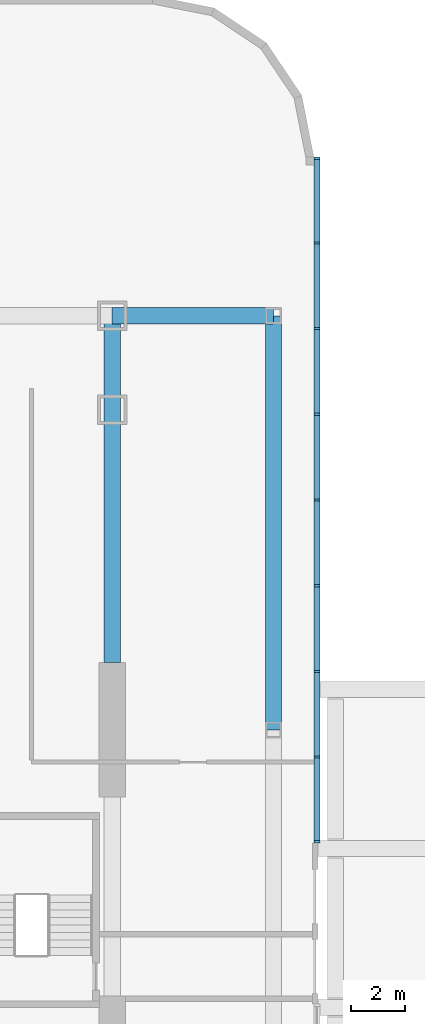
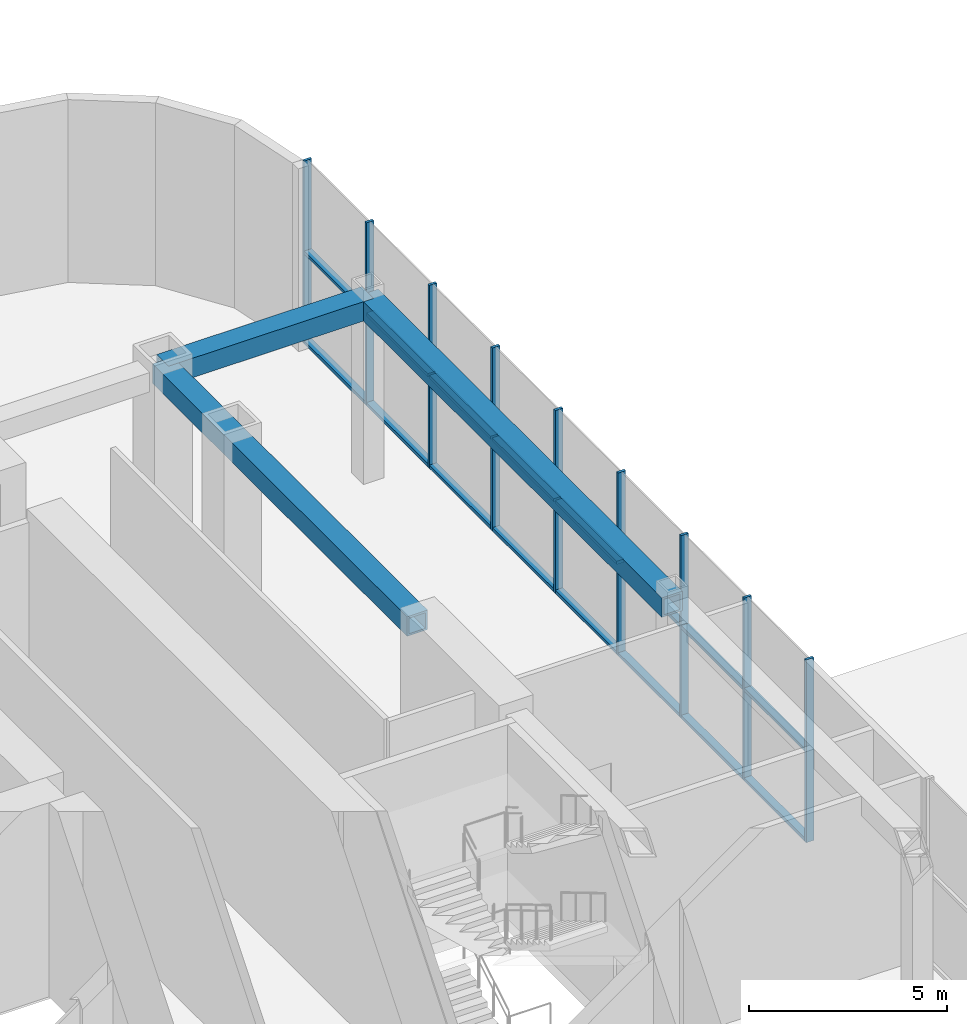
# One storey, part 13 of 57: 25 members, 3 beams, 1 element without a shape of its own.
"""IFC4 building model written with IfcOpenShell, lengths in metres."""

from ifc_helpers import new_model, si_unit, direction, frame, origin, origin_2d, place, context, subcontext, project, spatial, rectangle, hollow_rectangle, extrude, material, material_profile, profile_set, type_object, element, aggregate, save


model = new_model("IFC4")

# Units and contexts
model_context = context("Model", 3, precision=1e-05, world=origin(), true_north=direction((0.0, 1.0)))
body_context = subcontext(model_context, "Body", "Model", "MODEL_VIEW")
ifc_project = project(units=[si_unit("LENGTHUNIT", "METRE"), si_unit("AREAUNIT", "SQUARE_METRE"), si_unit("VOLUMEUNIT", "CUBIC_METRE"), si_unit("PLANEANGLEUNIT", "RADIAN"), si_unit("MASSUNIT", "GRAM", prefix="KILO")], contexts=[model_context])

# Site, building, storey
site_placement = place(None, origin())
site = spatial("IfcSite", under=ifc_project, at=site_placement, CompositionType="ELEMENT")
building_placement = place(site_placement, origin())
building = spatial("IfcBuilding", under=site, at=building_placement, Name="Orbita Commons", CompositionType="ELEMENT")
storey_placement = place(building_placement, origin())
storey = spatial("IfcBuildingStorey", under=building, at=storey_placement, Name="L00", CompositionType="ELEMENT", Elevation=0.0)

# Curtain wall, members
ifc_material_1 = material(Name="Anodised aluminium frame, pale silver", Category="aluminium")
curtain_wall_type = type_object("IfcCurtainWallType", Name="Lobby curtain wall CW-L", PredefinedType="NOTDEFINED", material=ifc_material_1)
curtain_wall_placement = place(storey_placement, origin())
curtain_wall = element("IfcCurtainWall", 1, at=curtain_wall_placement, inside=storey, type_object=curtain_wall_type, Name="Curtain wall E 2 L00", PredefinedType="NOTDEFINED")
ifc_material_2 = material(Name="Anodised aluminium, pale silver", Category="aluminium")
ifc_material_profile_1 = material_profile(ifc_material_2, rectangle(XDim=0.080078125, YDim=0.219970703125, at=origin_2d()), Name="AL 80x220")
ifc_profile_set_1 = profile_set([ifc_material_profile_1], Name="Anodised aluminium, pale silver")
member_type_1 = type_object("IfcMemberType", Name="Curtain wall mullion 80x220", PredefinedType="MULLION", material=ifc_profile_set_1)
member_1_placement = place(storey_placement, frame((85.610107421875, 34.0400390625, 0.0), z_axis=(0.0, 0.0, 1.0), x_axis=(0.0, 1.0, 0.0)))
member_1 = element("IfcMember", 2, at=member_1_placement, type_object=member_type_1, Name="Mullion 1 CW-L00-E1", PredefinedType="MULLION", context=body_context, shape_type="SweptSolid", body=[
    extrude(rectangle(XDim=0.080078125, YDim=0.219970703125, at=origin_2d()), origin(), (0.0, 0.0, 1.0), 5.64990234375),
])
member_2_placement = place(storey_placement, frame((85.610107421875, 37.1875, 0.0), z_axis=(0.0, 0.0, 1.0), x_axis=(0.0, 1.0, 0.0)))
member_2 = element("IfcMember", 3, at=member_2_placement, type_object=member_type_1, Name="Mullion 2 CW-L00-E1", PredefinedType="MULLION", context=body_context, shape_type="SweptSolid", body=[
    extrude(rectangle(XDim=0.080078125, YDim=0.219970703125, at=origin_2d()), origin(), (0.0, 0.0, 1.0), 5.64990234375),
])
member_3_placement = place(storey_placement, frame((85.610107421875, 40.375, 0.0), z_axis=(0.0, 0.0, 1.0), x_axis=(0.0, 1.0, 0.0)))
member_3 = element("IfcMember", 4, at=member_3_placement, type_object=member_type_1, Name="Mullion 3 CW-L00-E1", PredefinedType="MULLION", context=body_context, shape_type="SweptSolid", body=[
    extrude(rectangle(XDim=0.080078125, YDim=0.219970703125, at=origin_2d()), origin(), (0.0, 0.0, 1.0), 5.64990234375),
])
member_4_placement = place(storey_placement, frame((85.610107421875, 43.5625, 0.0), z_axis=(0.0, 0.0, 1.0), x_axis=(0.0, 1.0, 0.0)))
member_4 = element("IfcMember", 5, at=member_4_placement, type_object=member_type_1, Name="Mullion 4 CW-L00-E1", PredefinedType="MULLION", context=body_context, shape_type="SweptSolid", body=[
    extrude(rectangle(XDim=0.080078125, YDim=0.219970703125, at=origin_2d()), origin(), (0.0, 0.0, 1.0), 5.64990234375),
])
member_5_placement = place(storey_placement, frame((85.610107421875, 46.75, 0.0), z_axis=(0.0, 0.0, 1.0), x_axis=(0.0, 1.0, 0.0)))
member_5 = element("IfcMember", 6, at=member_5_placement, type_object=member_type_1, Name="Mullion 5 CW-L00-E1", PredefinedType="MULLION", context=body_context, shape_type="SweptSolid", body=[
    extrude(rectangle(XDim=0.080078125, YDim=0.219970703125, at=origin_2d()), origin(), (0.0, 0.0, 1.0), 5.64990234375),
])
member_6_placement = place(storey_placement, frame((85.610107421875, 49.9375, 0.0), z_axis=(0.0, 0.0, 1.0), x_axis=(0.0, 1.0, 0.0)))
member_6 = element("IfcMember", 7, at=member_6_placement, type_object=member_type_1, Name="Mullion 6 CW-L00-E1", PredefinedType="MULLION", context=body_context, shape_type="SweptSolid", body=[
    extrude(rectangle(XDim=0.080078125, YDim=0.219970703125, at=origin_2d()), origin(), (0.0, 0.0, 1.0), 5.64990234375),
])
member_7_placement = place(storey_placement, frame((85.610107421875, 53.125, 0.0), z_axis=(0.0, 0.0, 1.0), x_axis=(0.0, 1.0, 0.0)))
member_7 = element("IfcMember", 8, at=member_7_placement, type_object=member_type_1, Name="Mullion 7 CW-L00-E1", PredefinedType="MULLION", context=body_context, shape_type="SweptSolid", body=[
    extrude(rectangle(XDim=0.080078125, YDim=0.219970703125, at=origin_2d()), origin(), (0.0, 0.0, 1.0), 5.64990234375),
])
member_8_placement = place(storey_placement, frame((85.610107421875, 56.3125, 0.0), z_axis=(0.0, 0.0, 1.0), x_axis=(0.0, 1.0, 0.0)))
member_8 = element("IfcMember", 9, at=member_8_placement, type_object=member_type_1, Name="Mullion 8 CW-L00-E1", PredefinedType="MULLION", context=body_context, shape_type="SweptSolid", body=[
    extrude(rectangle(XDim=0.080078125, YDim=0.219970703125, at=origin_2d()), origin(), (0.0, 0.0, 1.0), 5.64990234375),
])
member_9_placement = place(storey_placement, frame((85.610107421875, 59.4599609375, 0.0), z_axis=(0.0, 0.0, 1.0), x_axis=(0.0, 1.0, 0.0)))
member_9 = element("IfcMember", 10, at=member_9_placement, type_object=member_type_1, Name="Mullion 9 CW-L00-E1", PredefinedType="MULLION", context=body_context, shape_type="SweptSolid", body=[
    extrude(rectangle(XDim=0.080078125, YDim=0.219970703125, at=origin_2d()), origin(), (0.0, 0.0, 1.0), 5.64990234375),
])
ifc_material_3 = material(Name="Anodised aluminium, pale silver", Category="aluminium")
ifc_material_profile_2 = material_profile(ifc_material_3, rectangle(XDim=0.219970703125, YDim=0.10009765625, at=origin_2d()), Name="AL 220x100")
ifc_profile_set_2 = profile_set([ifc_material_profile_2], Name="Anodised aluminium, pale silver")
member_type_2 = type_object("IfcMemberType", Name="Curtain wall stack transom 220x100", PredefinedType="USERDEFINED", material=ifc_profile_set_2)
member_10_placement = place(storey_placement, frame((85.610107421875, 34.080078125, 0.050048828125), z_axis=(0.0, 1.0, 0.0), x_axis=(-1.0, 0.0, 0.0)))
member_10 = element("IfcMember", 11, at=member_10_placement, type_object=member_type_2, Name="Transom 1.1 CW-L00-E1", ObjectType="TRANSOM", PredefinedType="USERDEFINED", context=body_context, shape_type="SweptSolid", body=[
    extrude(rectangle(XDim=0.219970703125, YDim=0.10009765625, at=origin_2d()), origin(), (0.0, 0.0, 1.0), 3.0673828125),
])
member_11_placement = place(storey_placement, frame((85.610107421875, 34.080078125, 2.824951171875), z_axis=(0.0, 1.0, 0.0), x_axis=(-1.0, 0.0, 0.0)))
member_11 = element("IfcMember", 12, at=member_11_placement, type_object=member_type_2, Name="Transom 1.2 CW-L00-E1", ObjectType="TRANSOM", PredefinedType="USERDEFINED", context=body_context, shape_type="SweptSolid", body=[
    extrude(rectangle(XDim=0.219970703125, YDim=0.10009765625, at=origin_2d()), origin(), (0.0, 0.0, 1.0), 3.0673828125),
])
member_12_placement = place(storey_placement, frame((85.610107421875, 37.2275390625, 0.050048828125), z_axis=(0.0, 1.0, 0.0), x_axis=(-1.0, 0.0, 0.0)))
member_12 = element("IfcMember", 13, at=member_12_placement, type_object=member_type_2, Name="Transom 2.1 CW-L00-E1", ObjectType="TRANSOM", PredefinedType="USERDEFINED", context=body_context, shape_type="SweptSolid", body=[
    extrude(rectangle(XDim=0.219970703125, YDim=0.10009765625, at=origin_2d()), origin(), (0.0, 0.0, 1.0), 3.107421875),
])
member_13_placement = place(storey_placement, frame((85.610107421875, 37.2275390625, 2.824951171875), z_axis=(0.0, 1.0, 0.0), x_axis=(-1.0, 0.0, 0.0)))
member_13 = element("IfcMember", 14, at=member_13_placement, type_object=member_type_2, Name="Transom 2.2 CW-L00-E1", ObjectType="TRANSOM", PredefinedType="USERDEFINED", context=body_context, shape_type="SweptSolid", body=[
    extrude(rectangle(XDim=0.219970703125, YDim=0.10009765625, at=origin_2d()), origin(), (0.0, 0.0, 1.0), 3.107421875),
])
member_14_placement = place(storey_placement, frame((85.610107421875, 40.4150390625, 0.050048828125), z_axis=(0.0, 1.0, 0.0), x_axis=(-1.0, 0.0, 0.0)))
member_14 = element("IfcMember", 15, at=member_14_placement, type_object=member_type_2, Name="Transom 3.1 CW-L00-E1", ObjectType="TRANSOM", PredefinedType="USERDEFINED", context=body_context, shape_type="SweptSolid", body=[
    extrude(rectangle(XDim=0.219970703125, YDim=0.10009765625, at=origin_2d()), origin(), (0.0, 0.0, 1.0), 3.107421875),
])
member_15_placement = place(storey_placement, frame((85.610107421875, 40.4150390625, 2.824951171875), z_axis=(0.0, 1.0, 0.0), x_axis=(-1.0, 0.0, 0.0)))
member_15 = element("IfcMember", 16, at=member_15_placement, type_object=member_type_2, Name="Transom 3.2 CW-L00-E1", ObjectType="TRANSOM", PredefinedType="USERDEFINED", context=body_context, shape_type="SweptSolid", body=[
    extrude(rectangle(XDim=0.219970703125, YDim=0.10009765625, at=origin_2d()), origin(), (0.0, 0.0, 1.0), 3.107421875),
])
member_16_placement = place(storey_placement, frame((85.610107421875, 43.6025390625, 0.050048828125), z_axis=(0.0, 1.0, 0.0), x_axis=(-1.0, 0.0, 0.0)))
member_16 = element("IfcMember", 17, at=member_16_placement, type_object=member_type_2, Name="Transom 4.1 CW-L00-E1", ObjectType="TRANSOM", PredefinedType="USERDEFINED", context=body_context, shape_type="SweptSolid", body=[
    extrude(rectangle(XDim=0.219970703125, YDim=0.10009765625, at=origin_2d()), origin(), (0.0, 0.0, 1.0), 3.107421875),
])
member_17_placement = place(storey_placement, frame((85.610107421875, 43.6025390625, 2.824951171875), z_axis=(0.0, 1.0, 0.0), x_axis=(-1.0, 0.0, 0.0)))
member_17 = element("IfcMember", 18, at=member_17_placement, type_object=member_type_2, Name="Transom 4.2 CW-L00-E1", ObjectType="TRANSOM", PredefinedType="USERDEFINED", context=body_context, shape_type="SweptSolid", body=[
    extrude(rectangle(XDim=0.219970703125, YDim=0.10009765625, at=origin_2d()), origin(), (0.0, 0.0, 1.0), 3.107421875),
])
member_18_placement = place(storey_placement, frame((85.610107421875, 46.7900390625, 0.050048828125), z_axis=(0.0, 1.0, 0.0), x_axis=(-1.0, 0.0, 0.0)))
member_18 = element("IfcMember", 19, at=member_18_placement, type_object=member_type_2, Name="Transom 5.1 CW-L00-E1", ObjectType="TRANSOM", PredefinedType="USERDEFINED", context=body_context, shape_type="SweptSolid", body=[
    extrude(rectangle(XDim=0.219970703125, YDim=0.10009765625, at=origin_2d()), origin(), (0.0, 0.0, 1.0), 3.107421875),
])
member_19_placement = place(storey_placement, frame((85.610107421875, 46.7900390625, 2.824951171875), z_axis=(0.0, 1.0, 0.0), x_axis=(-1.0, 0.0, 0.0)))
member_19 = element("IfcMember", 20, at=member_19_placement, type_object=member_type_2, Name="Transom 5.2 CW-L00-E1", ObjectType="TRANSOM", PredefinedType="USERDEFINED", context=body_context, shape_type="SweptSolid", body=[
    extrude(rectangle(XDim=0.219970703125, YDim=0.10009765625, at=origin_2d()), origin(), (0.0, 0.0, 1.0), 3.107421875),
])
member_20_placement = place(storey_placement, frame((85.610107421875, 49.9775390625, 0.050048828125), z_axis=(0.0, 1.0, 0.0), x_axis=(-1.0, 0.0, 0.0)))
member_20 = element("IfcMember", 21, at=member_20_placement, type_object=member_type_2, Name="Transom 6.1 CW-L00-E1", ObjectType="TRANSOM", PredefinedType="USERDEFINED", context=body_context, shape_type="SweptSolid", body=[
    extrude(rectangle(XDim=0.219970703125, YDim=0.10009765625, at=origin_2d()), origin(), (0.0, 0.0, 1.0), 3.107421875),
])
member_21_placement = place(storey_placement, frame((85.610107421875, 49.9775390625, 2.824951171875), z_axis=(0.0, 1.0, 0.0), x_axis=(-1.0, 0.0, 0.0)))
member_21 = element("IfcMember", 22, at=member_21_placement, type_object=member_type_2, Name="Transom 6.2 CW-L00-E1", ObjectType="TRANSOM", PredefinedType="USERDEFINED", context=body_context, shape_type="SweptSolid", body=[
    extrude(rectangle(XDim=0.219970703125, YDim=0.10009765625, at=origin_2d()), origin(), (0.0, 0.0, 1.0), 3.107421875),
])
member_22_placement = place(storey_placement, frame((85.610107421875, 53.1650390625, 0.050048828125), z_axis=(0.0, 1.0, 0.0), x_axis=(-1.0, 0.0, 0.0)))
member_22 = element("IfcMember", 23, at=member_22_placement, type_object=member_type_2, Name="Transom 7.1 CW-L00-E1", ObjectType="TRANSOM", PredefinedType="USERDEFINED", context=body_context, shape_type="SweptSolid", body=[
    extrude(rectangle(XDim=0.219970703125, YDim=0.10009765625, at=origin_2d()), origin(), (0.0, 0.0, 1.0), 3.107421875),
])
member_23_placement = place(storey_placement, frame((85.610107421875, 53.1650390625, 2.824951171875), z_axis=(0.0, 1.0, 0.0), x_axis=(-1.0, 0.0, 0.0)))
member_23 = element("IfcMember", 24, at=member_23_placement, type_object=member_type_2, Name="Transom 7.2 CW-L00-E1", ObjectType="TRANSOM", PredefinedType="USERDEFINED", context=body_context, shape_type="SweptSolid", body=[
    extrude(rectangle(XDim=0.219970703125, YDim=0.10009765625, at=origin_2d()), origin(), (0.0, 0.0, 1.0), 3.107421875),
])
member_24_placement = place(storey_placement, frame((85.610107421875, 56.3525390625, 0.050048828125), z_axis=(0.0, 1.0, 0.0), x_axis=(-1.0, 0.0, 0.0)))
member_24 = element("IfcMember", 25, at=member_24_placement, type_object=member_type_2, Name="Transom 8.1 CW-L00-E1", ObjectType="TRANSOM", PredefinedType="USERDEFINED", context=body_context, shape_type="SweptSolid", body=[
    extrude(rectangle(XDim=0.219970703125, YDim=0.10009765625, at=origin_2d()), origin(), (0.0, 0.0, 1.0), 3.0673828125),
])
member_25_placement = place(storey_placement, frame((85.610107421875, 56.3525390625, 2.824951171875), z_axis=(0.0, 1.0, 0.0), x_axis=(-1.0, 0.0, 0.0)))
member_25 = element("IfcMember", 26, at=member_25_placement, type_object=member_type_2, Name="Transom 8.2 CW-L00-E1", ObjectType="TRANSOM", PredefinedType="USERDEFINED", context=body_context, shape_type="SweptSolid", body=[
    extrude(rectangle(XDim=0.219970703125, YDim=0.10009765625, at=origin_2d()), origin(), (0.0, 0.0, 1.0), 3.0673828125),
])
aggregate(curtain_wall, [member_1, member_2, member_3, member_4, member_5, member_6, member_7, member_8, member_9, member_10, member_11, member_12, member_13, member_14, member_15, member_16, member_17, member_18, member_19, member_20, member_21, member_22, member_23, member_24, member_25])

# Beams
ifc_material_4 = material(Name="Steel ASTM A572 Gr 50 welded plate", Category="steel")
ifc_material_profile_3 = material_profile(ifc_material_4, hollow_rectangle(XDim=0.60009765625, YDim=0.60009765625, WallThickness=0.06005859375, at=origin_2d()), Name="BOX 600x600x60")
ifc_profile_set_3 = profile_set([ifc_material_profile_3], Name="Steel ASTM A572 Gr 50 welded plate")
beam_type = type_object("IfcBeamType", Name="Steel podium beam BOX 600x600x60", PredefinedType="BEAM", material=ifc_profile_set_3)
beam_1_placement = place(storey_placement, frame((78.0, 53.60009765625, 5.35009765625), z_axis=(1.0, 0.0, 0.0), x_axis=(0.0, 1.0, 0.0)))
element("IfcBeam", 27, at=beam_1_placement, inside=storey, type_object=beam_type, Name="Podium beam E 14-15 L00", PredefinedType="BEAM", context=body_context, shape_type="SweptSolid", body=[
    extrude(hollow_rectangle(XDim=0.60009765625, YDim=0.60009765625, WallThickness=0.06005859375, at=origin_2d()), origin(), (0.0, 0.0, 1.0), 6.0),
])
beam_2_placement = place(storey_placement, frame((84.0, 38.199951171875, 5.35009765625), z_axis=(0.0, 1.0, 0.0), x_axis=(-1.0, 0.0, 0.0)))
element("IfcBeam", 28, at=beam_2_placement, inside=storey, type_object=beam_type, Name="Podium beam 15 D-E L00", PredefinedType="BEAM", context=body_context, shape_type="SweptSolid", body=[
    extrude(hollow_rectangle(XDim=0.60009765625, YDim=0.60009765625, WallThickness=0.06005859375, at=origin_2d()), origin(), (0.0, 0.0, 1.0), 15.400146484375),
])
beam_3_placement = place(storey_placement, frame((78.0, 40.699951171875, 5.35009765625), z_axis=(0.0, 1.0, 0.0), x_axis=(-1.0, 0.0, 0.0)))
element("IfcBeam", 29, at=beam_3_placement, inside=storey, type_object=beam_type, Name="Podium beam 14 D-E L00", PredefinedType="BEAM", context=body_context, shape_type="SweptSolid", body=[
    extrude(hollow_rectangle(XDim=0.60009765625, YDim=0.60009765625, WallThickness=0.06005859375, at=origin_2d()), origin(), (0.0, 0.0, 1.0), 12.900146484375),
])

save(model, "model.ifc")
